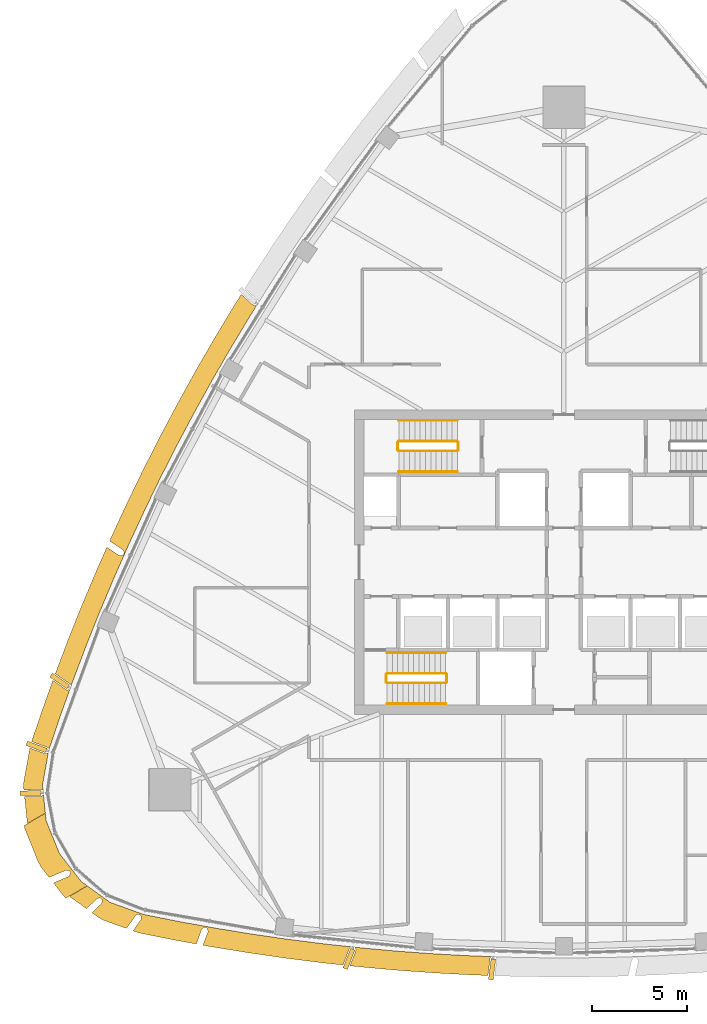
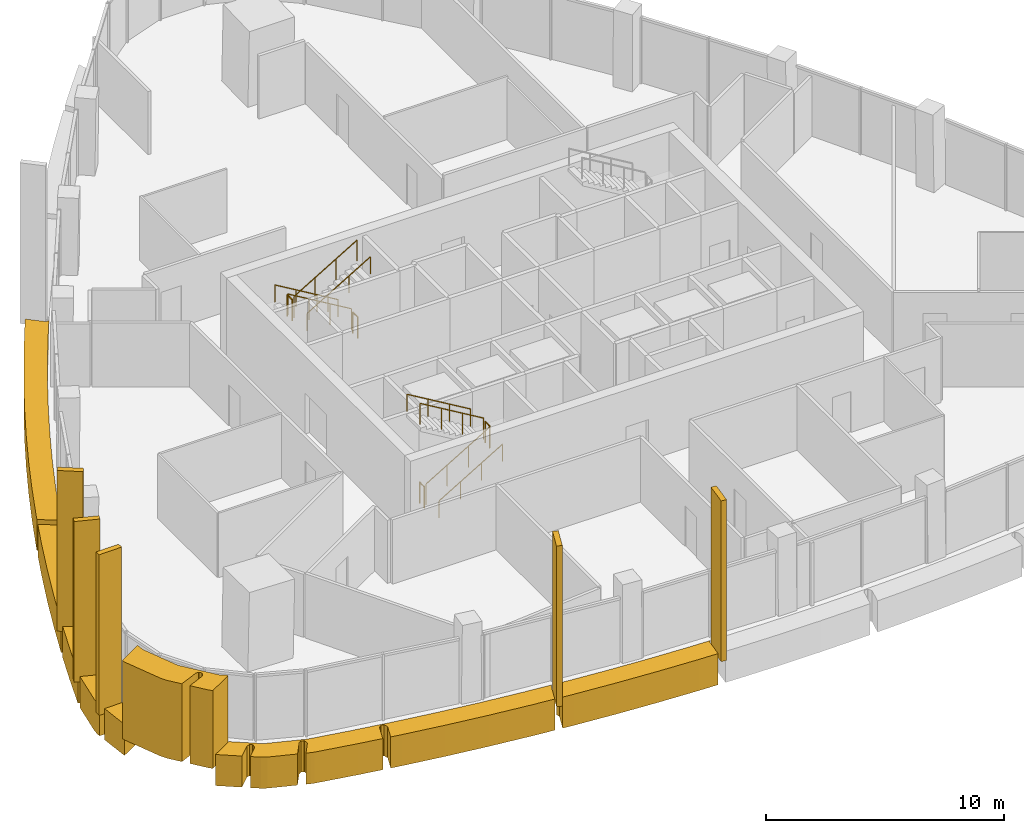
# One storey, part 15 of 18: 12 coverings, 12 railings.
"""IFC4 building model written with IfcOpenShell, lengths in metres."""

from ifc_helpers import new_model, si_unit, direction, frame, origin, origin_2d, place, context, subcontext, project, spatial, polyline, rectangle, circle, outline, extrude, material, layer, layer_set, material_profile, profile_set, type_object, element, save


model = new_model("IFC4")

# Units and contexts
model_context = context("Model", 3, precision=1e-05, world=origin(), true_north=direction((0.0, 1.0)))
body_context = subcontext(model_context, "Body", "Model", "MODEL_VIEW")
ifc_project = project(units=[si_unit("LENGTHUNIT", "METRE"), si_unit("AREAUNIT", "SQUARE_METRE"), si_unit("VOLUMEUNIT", "CUBIC_METRE"), si_unit("PLANEANGLEUNIT", "RADIAN"), si_unit("MASSUNIT", "GRAM", prefix="KILO")], contexts=[model_context])

# Site, building, storey
site_placement = place(None, origin())
site = spatial("IfcSite", under=ifc_project, at=site_placement, CompositionType="ELEMENT")
building_placement = place(site_placement, origin())
building = spatial("IfcBuilding", under=site, at=building_placement, Name="Sierra Prisma Convention Tower", CompositionType="ELEMENT")
storey_placement = place(building_placement, frame((0.0, 0.0, 287.0)))
storey = spatial("IfcBuildingStorey", under=building, at=storey_placement, Name="L65", CompositionType="ELEMENT", Elevation=287.0)

# Coverings
ifc_material_1 = material(Name="Aluminium composite bronze anodised", Category="aluminium")
ifc_layer_1 = layer(ifc_material_1, 1.199951171875)
ifc_layer_set_1 = layer_set([ifc_layer_1], Name="Bronze corner pier")
covering_type_1 = type_object("IfcCoveringType", Name="Bronze corner pier", PredefinedType="CLADDING", material=ifc_layer_set_1)
covering_1_placement = place(storey_placement, frame((0.0, 0.0, -0.60009765625)))
element("IfcCovering", 1, at=covering_1_placement, inside=storey, type_object=covering_type_1, Name="Corner pier SW L65.1", PredefinedType="CLADDING", context=body_context, shape_type="SweptSolid", body=[
    extrude(outline(polyline([(-26.032470703125, -16.513427734375), (-26.028564453125, -16.510498046875), (-26.02490234375, -16.507080078125), (-26.021728515625, -16.50341796875), (-26.018798828125, -16.499267578125), (-26.016357421875, -16.4951171875), (-25.93994140625, -16.345458984375), (-25.93798828125, -16.341064453125), (-25.936279296875, -16.336669921875), (-25.935302734375, -16.33203125), (-25.9345703125, -16.327392578125), (-25.934326171875, -16.322509765625), (-25.9345703125, -16.31787109375), (-25.935302734375, -16.313232421875), (-25.936279296875, -16.30859375), (-25.93798828125, -16.30419921875), (-25.93994140625, -16.2998046875), (-25.9423828125, -16.295654296875), (-25.945068359375, -16.2919921875), (-26.006591796875, -16.213134765625), (-26.010009765625, -16.20947265625), (-26.013427734375, -16.2060546875), (-26.017333984375, -16.202880859375), (-26.021484375, -16.2001953125), (-26.02587890625, -16.197998046875), (-26.030517578125, -16.1962890625), (-26.035400390625, -16.195068359375), (-26.040283203125, -16.194091796875), (-26.045166015625, -16.19384765625), (-26.157958984375, -16.192138671875), (-26.1630859375, -16.1923828125), (-26.168212890625, -16.193115234375), (-26.17333984375, -16.1943359375), (-26.17822265625, -16.1962890625), (-27.06201171875, -16.572021484375), (-27.468505859375, -16.052490234375), (-27.635986328125, -15.76220703125), (-28.334716796875, -14.030029296875), (-28.380615234375, -13.84521484375), (-27.261474609375, -13.19921875), (-27.221923828125, -13.5810546875), (-26.523193359375, -15.313232421875), (-25.37255859375, -16.784423828125), (-25.0615234375, -17.009521484375), (-26.1806640625, -17.65576171875), (-26.31787109375, -17.523681640625), (-26.8388671875, -16.857421875), (-26.041259765625, -16.518310546875), (-26.036865234375, -16.51611328125), (-26.032470703125, -16.513427734375)])), origin(), (0.0, 0.0, 1.0), 4.0),
])
ifc_material_2 = material(Name="Aluminium 6063-T6 bronze anodised", Category="aluminium")
ifc_material_profile = material_profile(ifc_material_2, rectangle(XDim=1.10009765625, YDim=0.25, at=origin_2d()), Name="ALU FIN 1100x250")
ifc_profile_set = profile_set([ifc_material_profile], Name="Aluminium 6063-T6 bronze anodised")
covering_type_2 = type_object("IfcCoveringType", Name="Bronze facade fin", PredefinedType="CLADDING", material=ifc_profile_set)
for number, where, z_axis, x_axis, name in (
    (2, (-11.301513671875, -20.8603515625, -0.300048828125), (0.0, 0.0, 1.0), (-0.361114420558, -0.932521514639, 0.0), "Fin L65.5"),
    (3, (-3.775634765625, -21.40087890625, -0.300048828125), (0.0, 0.0, 1.0), (-0.122843149669, -0.992426098296, 0.0), "Fin L65.8"),
    (4, (-26.508056640625, -6.240966796875, -0.300048828125), (0.0, 0.0, 1.0), (-0.82195608016, 0.569550877699, 0.0), "Fin L65.61"),
    (5, (-27.725830078125, -9.70849609375, -0.300048828125), (0.0, 0.0, 1.0), (-0.938810277241, 0.344434701135, 0.0), "Fin L65.62"),
    (6, (-28.043212890625, -12.1357421875, -0.300048828125), (0.0, 0.0, 1.0), (-0.99987342497, -0.015910186657, 0.0), "Fin L65.63"),
):
    element("IfcCovering", number, at=place(storey_placement, frame(where, z_axis=z_axis, x_axis=x_axis)), inside=storey, type_object=covering_type_2, Name=name, ObjectType="FIN", PredefinedType="CLADDING", context=body_context, shape_type="SweptSolid", body=[
        extrude(rectangle(XDim=1.10009765625, YDim=0.25, at=origin_2d()), origin(), (0.0, 0.0, 1.0), 8.25),
    ])
ifc_material_3 = material(Name="Aluminium composite bronze anodised", Category="aluminium")
ifc_layer_2 = layer(ifc_material_3, 1.0)
ifc_layer_set_2 = layer_set([ifc_layer_2], Name="Bronze spandrel band")
covering_type_3 = type_object("IfcCoveringType", Name="Bronze spandrel band", PredefinedType="CLADDING", material=ifc_layer_set_2)
covering_2_placement = place(storey_placement, frame((0.0, 0.0, -1.60009765625)))
element("IfcCovering", 7, at=covering_2_placement, inside=storey, type_object=covering_type_3, Name="Spandrel band L65.1", PredefinedType="CLADDING", context=body_context, shape_type="SweptSolid", body=[
    extrude(outline(polyline([(-23.37158203125, 0.357177734375), (-23.366943359375, 0.357421875), (-23.207763671875, 0.366943359375), (-23.202880859375, 0.367431640625), (-23.197998046875, 0.368408203125), (-23.193115234375, 0.3701171875), (-23.188720703125, 0.371826171875), (-23.184326171875, 0.37451171875), (-23.18017578125, 0.377197265625), (-23.176513671875, 0.38037109375), (-23.173095703125, 0.384033203125), (-23.169921875, 0.387939453125), (-23.167236328125, 0.39208984375), (-23.1650390625, 0.396484375), (-23.12451171875, 0.488037109375), (-23.122802734375, 0.492919921875), (-23.121337890625, 0.497802734375), (-23.12060546875, 0.5029296875), (-23.120361328125, 0.50830078125), (-23.12060546875, 0.51318359375), (-23.121337890625, 0.518310546875), (-23.122802734375, 0.5234375), (-23.12451171875, 0.5283203125), (-23.126708984375, 0.532958984375), (-23.187255859375, 0.639404296875), (-23.189697265625, 0.643310546875), (-23.1923828125, 0.647216796875), (-23.195556640625, 0.650390625), (-23.19921875, 0.653564453125), (-23.202880859375, 0.656494140625), (-23.888427734375, 1.1162109375), (-23.79052734375, 1.337890625), (-23.783203125, 1.354248046875), (-22.969482421875, 3.110595703125), (-22.961669921875, 3.126708984375), (-22.116455078125, 4.8681640625), (-22.108642578125, 4.88427734375), (-21.232421875, 6.6103515625), (-21.22412109375, 6.626220703125), (-20.31689453125, 8.336181640625), (-20.308349609375, 8.35205078125), (-19.370849609375, 10.04541015625), (-19.362060546875, 10.06103515625), (-18.39404296875, 11.7373046875), (-18.385009765625, 11.7529296875), (-17.38720703125, 13.41162109375), (-17.3779296875, 13.427001953125), (-16.964599609375, 14.086669921875), (-16.32421875, 13.5087890625), (-16.320556640625, 13.505859375), (-16.316650390625, 13.503173828125), (-16.312744140625, 13.5009765625), (-16.308349609375, 13.4990234375), (-16.303955078125, 13.497802734375), (-16.29931640625, 13.49658203125), (-16.294921875, 13.49609375), (-16.16162109375, 13.48486328125), (-16.530517578125, 12.896240234375), (-17.528076171875, 11.2373046875), (-18.49609375, 9.56103515625), (-19.43359375, 7.86767578125), (-20.340576171875, 6.15771484375), (-21.216796875, 4.431640625), (-22.06201171875, 2.690185546875), (-22.875732421875, 0.933837890625), (-23.657958984375, -0.8369140625), (-24.408203125, -2.62109375), (-25.126220703125, -4.418701171875), (-25.81201171875, -6.22900390625), (-25.904541015625, -6.4873046875), (-25.942138671875, -6.425537109375), (-25.945068359375, -6.421142578125), (-25.948486328125, -6.417236328125), (-25.9521484375, -6.41357421875), (-25.956298828125, -6.410400390625), (-26.743408203125, -5.864990234375), (-26.061279296875, -4.064453125), (-26.0546875, -4.0478515625), (-25.336669921875, -2.250244140625), (-25.329833984375, -2.233642578125), (-24.57958984375, -0.44921875), (-24.572509765625, -0.432861328125), (-24.031982421875, 0.791015625), (-23.397705078125, 0.36572265625), (-23.393798828125, 0.36328125), (-23.3896484375, 0.361083984375), (-23.38525390625, 0.359619140625), (-23.380859375, 0.3583984375), (-23.376220703125, 0.357666015625), (-23.37158203125, 0.357177734375)])), origin(), (0.0, 0.0, 1.0), 1.60009765625),
])
covering_3_placement = place(storey_placement, frame((0.0, 0.0, -1.60009765625)))
element("IfcCovering", 8, at=covering_3_placement, inside=storey, type_object=covering_type_3, Name="Spandrel band L65.2", PredefinedType="CLADDING", context=body_context, shape_type="SweptSolid", body=[
    extrude(outline(polyline([(-27.14501953125, -9.735595703125), (-27.1494140625, -9.733642578125), (-27.986083984375, -9.4267578125), (-27.412109375, -7.730712890625), (-27.40625, -7.713623046875), (-26.865966796875, -6.2060546875), (-26.155517578125, -6.697998046875), (-26.1513671875, -6.70068359375), (-26.14697265625, -6.702880859375), (-26.142333984375, -6.70458984375), (-26.137451171875, -6.7060546875), (-26.132568359375, -6.706787109375), (-26.127685546875, -6.70703125), (-26.12255859375, -6.706787109375), (-25.978515625, -6.69384765625), (-26.465087890625, -8.051025390625), (-27.062744140625, -9.818115234375), (-27.130126953125, -9.746337890625), (-27.13330078125, -9.7431640625), (-27.136962890625, -9.740234375), (-27.140869140625, -9.73779296875), (-27.14501953125, -9.735595703125)])), origin(), (0.0, 0.0, 1.0), 1.60009765625),
])
covering_4_placement = place(storey_placement, frame((0.0, 0.0, -1.60009765625)))
element("IfcCovering", 9, at=covering_4_placement, inside=storey, type_object=covering_type_3, Name="Spandrel band L65.3", PredefinedType="CLADDING", context=body_context, shape_type="SweptSolid", body=[
    extrude(outline(polyline([(-27.48583984375, -11.952880859375), (-27.490966796875, -11.9521484375), (-27.49609375, -11.951904296875), (-28.39453125, -11.96630859375), (-28.408935546875, -11.826171875), (-28.398681640625, -11.547119140625), (-28.079833984375, -9.76513671875), (-27.269775390625, -10.062255859375), (-27.265380859375, -10.063720703125), (-27.260986328125, -10.064697265625), (-27.25634765625, -10.065185546875), (-27.251708984375, -10.065185546875), (-27.2470703125, -10.06494140625), (-27.242431640625, -10.064208984375), (-27.23779296875, -10.06298828125), (-27.110107421875, -10.023681640625), (-27.414306640625, -11.723388671875), (-27.38525390625, -12.004638671875), (-27.471435546875, -11.9580078125), (-27.47607421875, -11.955810546875), (-27.480712890625, -11.9541015625), (-27.48583984375, -11.952880859375)])), origin(), (0.0, 0.0, 1.0), 1.60009765625),
])
covering_5_placement = place(storey_placement, frame((0.0, 0.0, -1.60009765625)))
element("IfcCovering", 10, at=covering_5_placement, inside=storey, type_object=covering_type_3, Name="Spandrel band L65.4", PredefinedType="CLADDING", context=body_context, shape_type="SweptSolid", body=[
    extrude(outline(polyline([(-22.10302734375, -18.51416015625), (-20.205078125, -18.893798828125), (-18.30029296875, -19.2392578125), (-16.389892578125, -19.550537109375), (-14.47412109375, -19.827392578125), (-12.5537109375, -20.06982421875), (-11.20361328125, -20.2158203125), (-11.254638671875, -20.266845703125), (-11.25830078125, -20.270751953125), (-11.26123046875, -20.27490234375), (-11.263916015625, -20.279541015625), (-11.26611328125, -20.2841796875), (-11.61181640625, -21.177490234375), (-12.6611328125, -21.064208984375), (-12.678955078125, -21.06201171875), (-14.599365234375, -20.819580078125), (-14.6171875, -20.817138671875), (-16.532958984375, -20.540283203125), (-16.550537109375, -20.53759765625), (-18.461181640625, -20.226318359375), (-18.478759765625, -20.22314453125), (-18.97509765625, -20.13330078125), (-18.71435546875, -19.427001953125), (-18.712890625, -19.422607421875), (-18.7119140625, -19.418212890625), (-18.71142578125, -19.41357421875), (-18.711181640625, -19.408935546875), (-18.71142578125, -19.404296875), (-18.71240234375, -19.399658203125), (-18.71337890625, -19.39501953125), (-18.760009765625, -19.24267578125), (-18.76171875, -19.238037109375), (-18.763916015625, -19.2333984375), (-18.7666015625, -19.229248046875), (-18.76953125, -19.225341796875), (-18.77294921875, -19.2216796875), (-18.776611328125, -19.21826171875), (-18.780517578125, -19.21533203125), (-18.784912109375, -19.212890625), (-18.789306640625, -19.210693359375), (-18.794189453125, -19.209228515625), (-18.799072265625, -19.2080078125), (-18.8974609375, -19.190185546875), (-18.902587890625, -19.189697265625), (-18.90771484375, -19.189453125), (-18.912841796875, -19.18994140625), (-18.91796875, -19.19091796875), (-18.9228515625, -19.1923828125), (-18.927734375, -19.1943359375), (-18.93212890625, -19.19677734375), (-18.9365234375, -19.19970703125), (-18.9404296875, -19.202880859375), (-19.02978515625, -19.28662109375), (-19.033203125, -19.2900390625), (-19.0361328125, -19.293701171875), (-19.03857421875, -19.297607421875), (-19.040771484375, -19.301513671875), (-19.04248046875, -19.305908203125), (-19.32470703125, -20.06982421875), (-20.38330078125, -19.877685546875), (-20.401123046875, -19.87451171875), (-22.29931640625, -19.494873046875), (-22.442626953125, -19.454833984375), (-22.653076171875, -19.37890625), (-22.241943359375, -18.787841796875), (-22.2392578125, -18.78369140625), (-22.237060546875, -18.779296875), (-22.2353515625, -18.774658203125), (-22.23388671875, -18.769775390625), (-22.233154296875, -18.764892578125), (-22.23291015625, -18.760009765625), (-22.233154296875, -18.7548828125), (-22.247802734375, -18.587646484375), (-22.24853515625, -18.5830078125), (-22.249755859375, -18.578369140625), (-22.251220703125, -18.573974609375), (-22.253173828125, -18.569580078125), (-22.25537109375, -18.5654296875), (-22.258056640625, -18.5615234375), (-22.26123046875, -18.557861328125), (-22.2646484375, -18.5546875), (-22.268310546875, -18.5517578125), (-22.272216796875, -18.549072265625), (-22.2763671875, -18.546875), (-22.28076171875, -18.544921875), (-22.374755859375, -18.510986328125), (-22.379638671875, -18.509521484375), (-22.384521484375, -18.5087890625), (-22.389404296875, -18.50830078125), (-22.394287109375, -18.50830078125), (-22.399169921875, -18.5087890625), (-22.404052734375, -18.509521484375), (-22.40869140625, -18.510986328125), (-22.413330078125, -18.512939453125), (-22.417724609375, -18.515380859375), (-22.513916015625, -18.57373046875), (-22.518310546875, -18.57666015625), (-22.522216796875, -18.580078125), (-22.52587890625, -18.583984375), (-22.529052734375, -18.587890625), (-22.993896484375, -19.255615234375), (-24.199462890625, -18.820556640625), (-24.4462890625, -18.689697265625), (-24.80908203125, -18.427001953125), (-24.319091796875, -17.9521484375), (-24.31591796875, -17.948974609375), (-24.31298828125, -17.9453125), (-24.310546875, -17.94140625), (-24.308349609375, -17.93701171875), (-24.306640625, -17.932861328125), (-24.305419921875, -17.928466796875), (-24.304443359375, -17.923828125), (-24.280517578125, -17.76611328125), (-24.280029296875, -17.76123046875), (-24.280029296875, -17.75634765625), (-24.280517578125, -17.751220703125), (-24.281494140625, -17.746337890625), (-24.282958984375, -17.74169921875), (-24.284912109375, -17.737060546875), (-24.287353515625, -17.732666015625), (-24.2900390625, -17.728515625), (-24.293212890625, -17.724853515625), (-24.296875, -17.72119140625), (-24.30078125, -17.71826171875), (-24.381591796875, -17.659423828125), (-24.385986328125, -17.65673828125), (-24.390625, -17.654296875), (-24.3955078125, -17.652587890625), (-24.400390625, -17.651123046875), (-24.405517578125, -17.650390625), (-24.41064453125, -17.64990234375), (-24.416015625, -17.650390625), (-24.4208984375, -17.651123046875), (-24.426025390625, -17.65234375), (-24.542724609375, -17.689208984375), (-24.547119140625, -17.690673828125), (-24.551513671875, -17.692626953125), (-24.555419921875, -17.695068359375), (-24.55908203125, -17.69775390625), (-24.5625, -17.700927734375), (-25.096923828125, -18.218505859375), (-25.958984375, -17.59423828125), (-25.99462890625, -17.56005859375), (-25.052734375, -17.01611328125), (-23.85986328125, -17.8798828125), (-22.10302734375, -18.51416015625)])), origin(), (0.0, 0.0, 1.0), 1.60009765625),
])
covering_6_placement = place(storey_placement, frame((0.0, 0.0, -1.60009765625)))
element("IfcCovering", 11, at=covering_6_placement, inside=storey, type_object=covering_type_3, Name="Spandrel band L65.5", PredefinedType="CLADDING", context=body_context, shape_type="SweptSolid", body=[
    extrude(outline(polyline([(-28.3583984375, -12.315673828125), (-27.490478515625, -12.302001953125), (-27.4853515625, -12.301513671875), (-27.48046875, -12.30078125), (-27.4755859375, -12.29931640625), (-27.470947265625, -12.297607421875), (-27.46630859375, -12.29541015625), (-27.462158203125, -12.29248046875), (-27.36279296875, -12.221435546875), (-27.2626953125, -13.188232421875), (-28.20458984375, -13.732177734375), (-28.216796875, -13.68408203125), (-28.3583984375, -12.315673828125)])), origin(), (0.0, 0.0, 1.0), 1.60009765625),
])
covering_7_placement = place(storey_placement, frame((0.0, 0.0, -1.60009765625)))
element("IfcCovering", 12, at=covering_7_placement, inside=storey, type_object=covering_type_3, Name="Spandrel band L65.12", PredefinedType="CLADDING", context=body_context, shape_type="SweptSolid", body=[
    extrude(outline(polyline([(-10.93701171875, -20.401123046875), (-10.936279296875, -20.39599609375), (-10.936279296875, -20.39111328125), (-10.936767578125, -20.38623046875), (-10.9375, -20.38134765625), (-10.93896484375, -20.37646484375), (-10.9853515625, -20.239501953125), (-10.629150390625, -20.27783203125), (-8.701416015625, -20.451416015625), (-6.7705078125, -20.590087890625), (-4.837646484375, -20.6943359375), (-3.814208984375, -20.731201171875), (-3.872314453125, -20.809814453125), (-3.875, -20.814208984375), (-3.87744140625, -20.81884765625), (-3.87939453125, -20.823486328125), (-3.880859375, -20.828369140625), (-3.881591796875, -20.83349609375), (-3.991943359375, -21.725341796875), (-4.87353515625, -21.693603515625), (-4.8916015625, -21.69287109375), (-6.824462890625, -21.588623046875), (-6.84228515625, -21.587646484375), (-8.77294921875, -21.44873046875), (-8.791015625, -21.447265625), (-10.71875, -21.27392578125), (-10.736572265625, -21.272216796875), (-11.251708984375, -21.216552734375), (-10.939697265625, -20.41064453125), (-10.93798828125, -20.406005859375), (-10.93701171875, -20.401123046875)])), origin(), (0.0, 0.0, 1.0), 1.60009765625),
])

# Railings
ifc_material_4 = material(Name="Stainless steel", Category="steel")
railing_type_1 = type_object("IfcRailingType", Name="Exit stair handrail", PredefinedType="HANDRAIL", material=ifc_material_4)
railing_1_placement = place(storey_placement, frame((-9.300048828125, -7.449951171875, 0.166748046875)))
element("IfcRailing", 13, at=railing_1_placement, inside=storey, type_object=railing_type_1, Name="L65 S1 stair handrail 1", PredefinedType="HANDRAIL", context=body_context, shape_type="SweptSolid", body=[
    extrude(circle(Radius=0.02392578125, at=origin_2d()), frame((0.0, 0.0, 0.8759765625), z_axis=(0.859308565015, 0.0, 0.511457515432), x_axis=(0.0, 1.0, 0.0)), (0.0, 0.0, 1.0), 3.58447265625),
    extrude(circle(Radius=0.02099609375, at=origin_2d()), origin(), (0.0, 0.0, 1.0), 0.851806640625),
    extrude(circle(Radius=0.02099609375, at=origin_2d()), frame((1.026611328125, 0.0, 0.611083984375)), (0.0, 0.0, 1.0), 0.851806640625),
    extrude(circle(Radius=0.02099609375, at=origin_2d()), frame((2.053466796875, 0.0, 1.22216796875)), (0.0, 0.0, 1.0), 0.851806640625),
    extrude(circle(Radius=0.02099609375, at=origin_2d()), frame((3.080078125, 0.0, 1.833251953125)), (0.0, 0.0, 1.0), 0.851806640625),
])
railing_2_placement = place(storey_placement, frame((-6.219970703125, -4.75, 2.166748046875)))
element("IfcRailing", 14, at=railing_2_placement, inside=storey, type_object=railing_type_1, Name="L65 S1 stair handrail 2", PredefinedType="HANDRAIL", context=body_context, shape_type="SweptSolid", body=[
    extrude(circle(Radius=0.02392578125, at=origin_2d()), frame((0.0, 0.0, 0.8759765625), z_axis=(-0.859308565015, 0.0, 0.511457515432), x_axis=(0.0, -1.0, 0.0)), (0.0, 0.0, 1.0), 3.58447265625),
    extrude(circle(Radius=0.02099609375, at=origin_2d()), origin(), (0.0, 0.0, 1.0), 0.851806640625),
    extrude(circle(Radius=0.02099609375, at=origin_2d()), frame((-1.026611328125, 0.0, 0.611083984375)), (0.0, 0.0, 1.0), 0.851806640625),
    extrude(circle(Radius=0.02099609375, at=origin_2d()), frame((-2.053466796875, 0.0, 1.22216796875)), (0.0, 0.0, 1.0), 0.851806640625),
    extrude(circle(Radius=0.02099609375, at=origin_2d()), frame((-3.080078125, 0.0, 1.833251953125)), (0.0, 0.0, 1.0), 0.851806640625),
])
railing_3_placement = place(storey_placement, frame((-5.60009765625, 7.449951171875, 0.166748046875)))
element("IfcRailing", 15, at=railing_3_placement, inside=storey, type_object=railing_type_1, Name="L65 S3 stair handrail 1", PredefinedType="HANDRAIL", context=body_context, shape_type="SweptSolid", body=[
    extrude(circle(Radius=0.02392578125, at=origin_2d()), frame((0.0, 0.0, 0.8759765625), z_axis=(-0.859290745958, 0.0, 0.51148745235), x_axis=(0.0, -1.0, 0.0)), (0.0, 0.0, 1.0), 3.584228515625),
    extrude(circle(Radius=0.02099609375, at=origin_2d()), origin(), (0.0, 0.0, 1.0), 0.851806640625),
    extrude(circle(Radius=0.02099609375, at=origin_2d()), frame((-1.026611328125, 0.0, 0.611083984375)), (0.0, 0.0, 1.0), 0.851806640625),
    extrude(circle(Radius=0.02099609375, at=origin_2d()), frame((-2.05322265625, 0.0, 1.22216796875)), (0.0, 0.0, 1.0), 0.851806640625),
    extrude(circle(Radius=0.02099609375, at=origin_2d()), frame((-3.079833984375, 0.0, 1.833251953125)), (0.0, 0.0, 1.0), 0.851806640625),
])
railing_4_placement = place(storey_placement, frame((-8.679931640625, 4.75, 2.166748046875)))
element("IfcRailing", 16, at=railing_4_placement, inside=storey, type_object=railing_type_1, Name="L65 S3 stair handrail 2", PredefinedType="HANDRAIL", context=body_context, shape_type="SweptSolid", body=[
    extrude(circle(Radius=0.02392578125, at=origin_2d()), frame((0.0, 0.0, 0.8759765625), z_axis=(0.859290745958, 0.0, 0.51148745235), x_axis=(0.0, 1.0, 0.0)), (0.0, 0.0, 1.0), 3.584228515625),
    extrude(circle(Radius=0.02099609375, at=origin_2d()), origin(), (0.0, 0.0, 1.0), 0.851806640625),
    extrude(circle(Radius=0.02099609375, at=origin_2d()), frame((1.026611328125, 0.0, 0.611083984375)), (0.0, 0.0, 1.0), 0.851806640625),
    extrude(circle(Radius=0.02099609375, at=origin_2d()), frame((2.05322265625, 0.0, 1.22216796875)), (0.0, 0.0, 1.0), 0.851806640625),
    extrude(circle(Radius=0.02099609375, at=origin_2d()), frame((3.079833984375, 0.0, 1.833251953125)), (0.0, 0.0, 1.0), 0.851806640625),
])
ifc_material_5 = material(Name="Stainless steel", Category="steel")
railing_type_2 = type_object("IfcRailingType", Name="Stair guard 1100", PredefinedType="GUARDRAIL", material=ifc_material_5)
railing_5_placement = place(storey_placement, frame((-9.300048828125, -6.35009765625, 0.166748046875)))
element("IfcRailing", 17, at=railing_5_placement, inside=storey, type_object=railing_type_2, Name="L65 S1 stair guard 1", PredefinedType="GUARDRAIL", context=body_context, shape_type="SweptSolid", body=[
    extrude(circle(Radius=0.02392578125, at=origin_2d()), frame((0.0, 0.0, 1.076171875), z_axis=(0.859308565015, 0.0, 0.511457515432), x_axis=(0.0, 1.0, 0.0)), (0.0, 0.0, 1.0), 3.58447265625),
    extrude(circle(Radius=0.02099609375, at=origin_2d()), origin(), (0.0, 0.0, 1.0), 1.052001953125),
    extrude(circle(Radius=0.02099609375, at=origin_2d()), frame((1.026611328125, 0.0, 0.611083984375)), (0.0, 0.0, 1.0), 1.052001953125),
    extrude(circle(Radius=0.02099609375, at=origin_2d()), frame((2.053466796875, 0.0, 1.22216796875)), (0.0, 0.0, 1.0), 1.052001953125),
    extrude(circle(Radius=0.02099609375, at=origin_2d()), frame((3.080078125, 0.0, 1.833251953125)), (0.0, 0.0, 1.0), 1.052001953125),
])
railing_6_placement = place(storey_placement, frame((-6.169921875, -6.300048828125, 2.0)))
element("IfcRailing", 18, at=railing_6_placement, inside=storey, type_object=railing_type_2, Name="L65 S1 stair guard 2", PredefinedType="GUARDRAIL", context=body_context, shape_type="SweptSolid", body=[
    extrude(circle(Radius=0.02392578125, at=origin_2d()), frame((0.0, 0.0, 1.076171875), z_axis=(0.0, 1.0, 0.0), x_axis=(-1.0, 0.0, 0.0)), (0.0, 0.0, 1.0), 0.400146484375),
    extrude(circle(Radius=0.02099609375, at=origin_2d()), origin(), (0.0, 0.0, 1.0), 1.052001953125),
    extrude(circle(Radius=0.02099609375, at=origin_2d()), frame((0.0, 0.400146484375, 0.0)), (0.0, 0.0, 1.0), 1.052001953125),
])
railing_7_placement = place(storey_placement, frame((-6.219970703125, -5.85009765625, 2.166748046875)))
element("IfcRailing", 19, at=railing_7_placement, inside=storey, type_object=railing_type_2, Name="L65 S1 stair guard 3", PredefinedType="GUARDRAIL", context=body_context, shape_type="SweptSolid", body=[
    extrude(circle(Radius=0.02392578125, at=origin_2d()), frame((0.0, 0.0, 1.076171875), z_axis=(-0.859308565015, 0.0, 0.511457515432), x_axis=(0.0, -1.0, 0.0)), (0.0, 0.0, 1.0), 3.58447265625),
    extrude(circle(Radius=0.02099609375, at=origin_2d()), origin(), (0.0, 0.0, 1.0), 1.052001953125),
    extrude(circle(Radius=0.02099609375, at=origin_2d()), frame((-1.026611328125, 0.0, 0.611083984375)), (0.0, 0.0, 1.0), 1.052001953125),
    extrude(circle(Radius=0.02099609375, at=origin_2d()), frame((-2.053466796875, 0.0, 1.22216796875)), (0.0, 0.0, 1.0), 1.052001953125),
    extrude(circle(Radius=0.02099609375, at=origin_2d()), frame((-3.080078125, 0.0, 1.833251953125)), (0.0, 0.0, 1.0), 1.052001953125),
])
railing_8_placement = place(storey_placement, frame((-9.35009765625, -6.300048828125, 0.0)))
element("IfcRailing", 20, at=railing_8_placement, inside=storey, type_object=railing_type_2, Name="L65 S1 stair guard 4", PredefinedType="GUARDRAIL", context=body_context, shape_type="SweptSolid", body=[
    extrude(circle(Radius=0.02392578125, at=origin_2d()), frame((0.0, 0.0, 1.076171875), z_axis=(0.0, 1.0, 0.0), x_axis=(-1.0, 0.0, 0.0)), (0.0, 0.0, 1.0), 0.400146484375),
    extrude(circle(Radius=0.02099609375, at=origin_2d()), origin(), (0.0, 0.0, 1.0), 1.052001953125),
    extrude(circle(Radius=0.02099609375, at=origin_2d()), frame((0.0, 0.400146484375, 0.0)), (0.0, 0.0, 1.0), 1.052001953125),
])
railing_9_placement = place(storey_placement, frame((-5.60009765625, 6.35009765625, 0.166748046875)))
element("IfcRailing", 21, at=railing_9_placement, inside=storey, type_object=railing_type_2, Name="L65 S3 stair guard 1", PredefinedType="GUARDRAIL", context=body_context, shape_type="SweptSolid", body=[
    extrude(circle(Radius=0.02392578125, at=origin_2d()), frame((0.0, 0.0, 1.076171875), z_axis=(-0.859290745958, 0.0, 0.51148745235), x_axis=(0.0, -1.0, 0.0)), (0.0, 0.0, 1.0), 3.584228515625),
    extrude(circle(Radius=0.02099609375, at=origin_2d()), origin(), (0.0, 0.0, 1.0), 1.052001953125),
    extrude(circle(Radius=0.02099609375, at=origin_2d()), frame((-1.026611328125, 0.0, 0.611083984375)), (0.0, 0.0, 1.0), 1.052001953125),
    extrude(circle(Radius=0.02099609375, at=origin_2d()), frame((-2.05322265625, 0.0, 1.22216796875)), (0.0, 0.0, 1.0), 1.052001953125),
    extrude(circle(Radius=0.02099609375, at=origin_2d()), frame((-3.079833984375, 0.0, 1.833251953125)), (0.0, 0.0, 1.0), 1.052001953125),
])
railing_10_placement = place(storey_placement, frame((-8.72998046875, 6.300048828125, 2.0)))
element("IfcRailing", 22, at=railing_10_placement, inside=storey, type_object=railing_type_2, Name="L65 S3 stair guard 2", PredefinedType="GUARDRAIL", context=body_context, shape_type="SweptSolid", body=[
    extrude(circle(Radius=0.02392578125, at=origin_2d()), frame((0.0, 0.0, 1.076171875), z_axis=(0.0, -1.0, 0.0), x_axis=(1.0, 0.0, 0.0)), (0.0, 0.0, 1.0), 0.400146484375),
    extrude(circle(Radius=0.02099609375, at=origin_2d()), origin(), (0.0, 0.0, 1.0), 1.052001953125),
    extrude(circle(Radius=0.02099609375, at=origin_2d()), frame((0.0, -0.400146484375, 0.0)), (0.0, 0.0, 1.0), 1.052001953125),
])
railing_11_placement = place(storey_placement, frame((-8.679931640625, 5.85009765625, 2.166748046875)))
element("IfcRailing", 23, at=railing_11_placement, inside=storey, type_object=railing_type_2, Name="L65 S3 stair guard 3", PredefinedType="GUARDRAIL", context=body_context, shape_type="SweptSolid", body=[
    extrude(circle(Radius=0.02392578125, at=origin_2d()), frame((0.0, 0.0, 1.076171875), z_axis=(0.859290745958, 0.0, 0.51148745235), x_axis=(0.0, 1.0, 0.0)), (0.0, 0.0, 1.0), 3.584228515625),
    extrude(circle(Radius=0.02099609375, at=origin_2d()), origin(), (0.0, 0.0, 1.0), 1.052001953125),
    extrude(circle(Radius=0.02099609375, at=origin_2d()), frame((1.026611328125, 0.0, 0.611083984375)), (0.0, 0.0, 1.0), 1.052001953125),
    extrude(circle(Radius=0.02099609375, at=origin_2d()), frame((2.05322265625, 0.0, 1.22216796875)), (0.0, 0.0, 1.0), 1.052001953125),
    extrude(circle(Radius=0.02099609375, at=origin_2d()), frame((3.079833984375, 0.0, 1.833251953125)), (0.0, 0.0, 1.0), 1.052001953125),
])
railing_12_placement = place(storey_placement, frame((-5.550048828125, 6.300048828125, 0.0)))
element("IfcRailing", 24, at=railing_12_placement, inside=storey, type_object=railing_type_2, Name="L65 S3 stair guard 4", PredefinedType="GUARDRAIL", context=body_context, shape_type="SweptSolid", body=[
    extrude(circle(Radius=0.02392578125, at=origin_2d()), frame((0.0, 0.0, 1.076171875), z_axis=(0.0, -1.0, 0.0), x_axis=(1.0, 0.0, 0.0)), (0.0, 0.0, 1.0), 0.400146484375),
    extrude(circle(Radius=0.02099609375, at=origin_2d()), origin(), (0.0, 0.0, 1.0), 1.052001953125),
    extrude(circle(Radius=0.02099609375, at=origin_2d()), frame((0.0, -0.400146484375, 0.0)), (0.0, 0.0, 1.0), 1.052001953125),
])

save(model, "model.ifc")
